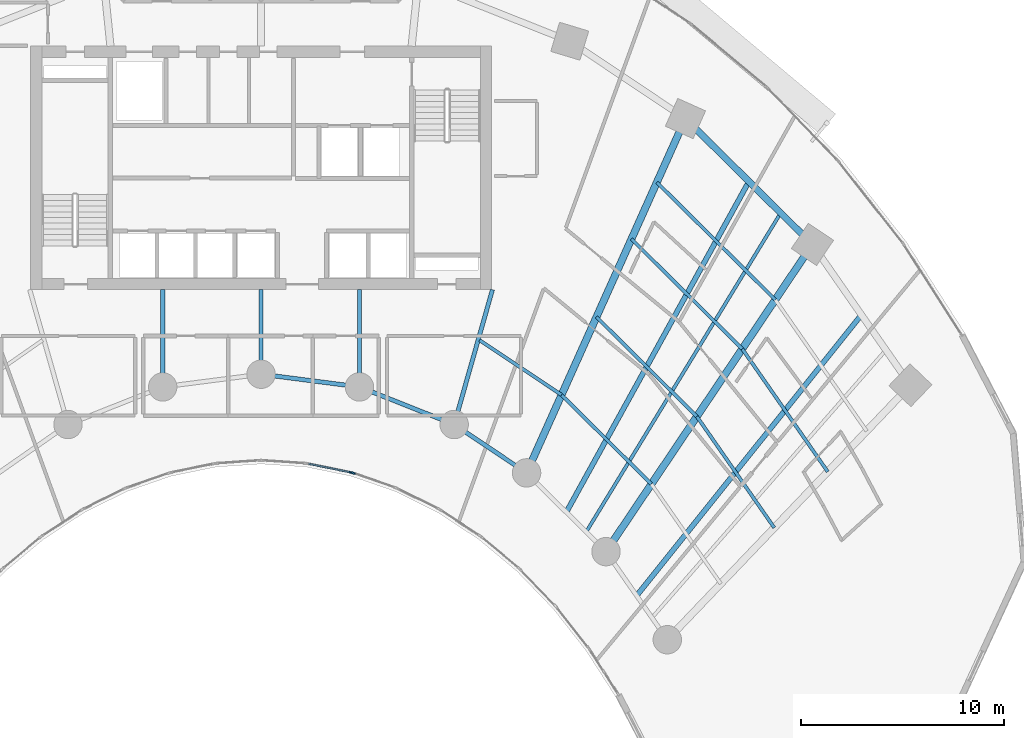
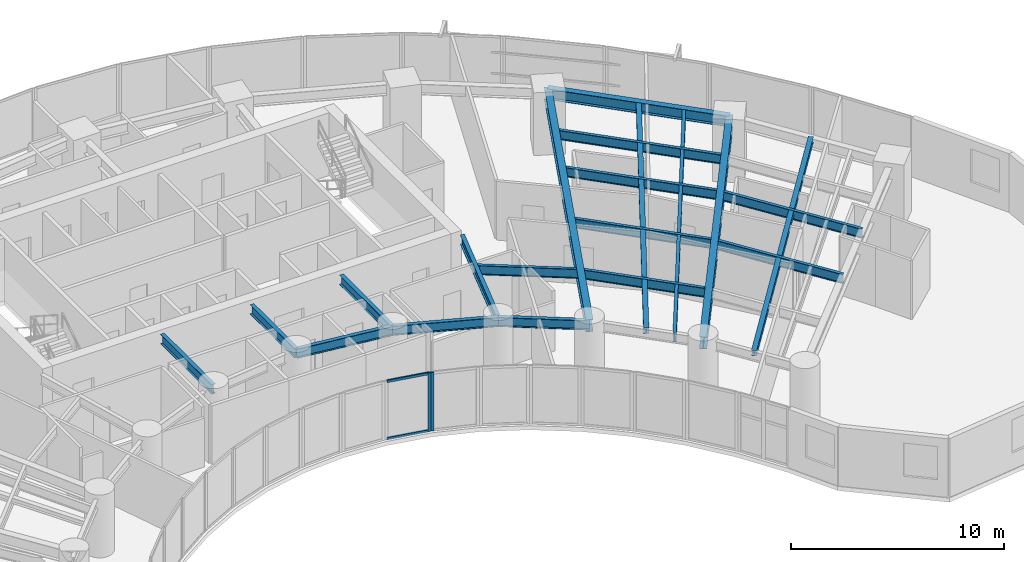
# One storey, part 5 of 17: 20 beams, 4 members, 2 elements without a shape of their own.
"""IFC4 building model written with IfcOpenShell, lengths in metres."""

import ifcopenshell
import ifcopenshell.guid

model = None  # the IFC model being written
_history = None  # IfcOwnerHistory: only IFC2X3 demands one
_inside = {}  # id of a spatial element -> (the spatial element, [elements in it])
_under = {}  # id of a project, library or spatial element -> (it, [spatial elements below it])
_declared = {}  # id of a project -> (the project, [libraries it declares])
_typed = {}  # id of a type object -> (the type object, [elements of that type])
_made_of = {}  # id of a material, layer set ... -> (it, [elements and type objects made of it])


def new_model(schema):
    """Start an empty IFC model of exactly this schema.

    Asked for "IFC4X3", IfcOpenShell would pick the latest addendum, in which some entities
    have other attributes; the version numbers below select the first issue.
    IFC2X3 requires an IfcOwnerHistory on every rooted entity: one is made here for all.
    """
    global model, _history
    if schema == "IFC4X3":
        model = ifcopenshell.file(schema_version=(4, 3, 0, 0))
    else:
        model = ifcopenshell.file(schema=schema)
    _inside.clear()
    _under.clear()
    _declared.clear()
    _typed.clear()
    _made_of.clear()
    _history = None
    if model.schema == "IFC2X3":
        org = make("IfcOrganization", Name="unknown")
        user = make(
            "IfcPersonAndOrganization",
            ThePerson=make("IfcPerson", FamilyName="unknown"),
            TheOrganization=org,
        )
        app = make(
            "IfcApplication",
            ApplicationDeveloper=org,
            Version="unknown",
            ApplicationFullName="unknown",
            ApplicationIdentifier="unknown",
        )
        _history = make(
            "IfcOwnerHistory",
            OwningUser=user,
            OwningApplication=app,
            ChangeAction="ADDED",
            CreationDate=0,
        )
    return model


def make(cls, **values):
    """One entity of the class cls with the attributes given. An attribute that is None is left unset."""
    return model.create_entity(
        cls, **{name: value for name, value in values.items() if value is not None}
    )


def rooted(cls, **values):
    """An entity with a GlobalId (a new one), such as an element, a storey or a relation."""
    return make(cls, GlobalId=ifcopenshell.guid.new(), OwnerHistory=_history, **values)


def si_unit(unit_type, name, prefix=None):
    """IfcSIUnit, for example si_unit("LENGTHUNIT", "METRE", prefix="MILLI")."""
    return make("IfcSIUnit", UnitType=unit_type, Prefix=prefix, Name=name)


def assignment(units):
    """IfcUnitAssignment: the units of a project."""
    return None if units is None else make("IfcUnitAssignment", Units=units)


def point(xyz):
    """IfcCartesianPoint."""
    return None if xyz is None else make("IfcCartesianPoint", Coordinates=xyz)


def direction(xyz):
    """IfcDirection."""
    return None if xyz is None else make("IfcDirection", DirectionRatios=xyz)


def frame(location, z_axis=None, x_axis=None):
    """IfcAxis2Placement3D, a coordinate frame: its origin and axes. An axis left out is left unset."""
    return make(
        "IfcAxis2Placement3D",
        Location=point(location),
        Axis=direction(z_axis),
        RefDirection=direction(x_axis),
    )


def frame_2d(location, x_axis=None):
    """IfcAxis2Placement2D, a coordinate frame in the plane: its origin and x axis."""
    return make(
        "IfcAxis2Placement2D", Location=point(location), RefDirection=direction(x_axis)
    )


def origin():
    """The frame at (0, 0, 0) with its axes left unset."""
    return frame((0.0, 0.0, 0.0))


def origin_2d():
    """The frame at (0, 0) in the plane with its x axis left unset."""
    return frame_2d((0.0, 0.0))


def place(relative_to, where):
    """IfcLocalPlacement: puts the frame where relative to a parent placement (None: the world)."""
    return make(
        "IfcLocalPlacement", PlacementRelTo=relative_to, RelativePlacement=where
    )


def context(
    kind, dimensions, precision=None, world=None, true_north=None, identifier=None
):
    """IfcGeometricRepresentationContext, for example the 3D "Model" context."""
    return make(
        "IfcGeometricRepresentationContext",
        ContextIdentifier=identifier,
        ContextType=kind,
        CoordinateSpaceDimension=dimensions,
        Precision=precision,
        WorldCoordinateSystem=world,
        TrueNorth=true_north,
    )


def subcontext(parent, identifier, kind, view, scale=None):
    """IfcGeometricRepresentationSubContext, for example "Body" below "Model"."""
    return make(
        "IfcGeometricRepresentationSubContext",
        ContextIdentifier=identifier,
        ContextType=kind,
        ParentContext=parent,
        TargetScale=scale,
        TargetView=view,
    )


def project(units=None, contexts=None):
    """IfcProject with its units and contexts."""
    return rooted(
        "IfcProject",
        Name="project",
        RepresentationContexts=contexts,
        UnitsInContext=assignment(units),
    )


def spatial(cls, under=None, at=None, **own):
    """A site, building, storey or space (cls), placed at a placement, below another one or the project."""
    s = rooted(cls, ObjectPlacement=at, **own)
    if under is not None:
        _under.setdefault(under.id(), (under, []))[1].append(s)
    return s


def profile(cls, at=None, kind="AREA", **sizes):
    """A parametric profile (cls). Its sizes go by their IFC names, for example OverallWidth=200.0."""
    return make(cls, ProfileType=kind, Position=at, **sizes)


def rectangle(**sizes):
    """IfcRectangleProfileDef."""
    return profile("IfcRectangleProfileDef", **sizes)


def i_section(**sizes):
    """IfcIShapeProfileDef."""
    return profile("IfcIShapeProfileDef", **sizes)


def extrude(swept, where, along, depth):
    """IfcExtrudedAreaSolid: the profile swept, set in the frame where, extruded along a direction by depth."""
    return make(
        "IfcExtrudedAreaSolid",
        SweptArea=swept,
        Position=where,
        ExtrudedDirection=direction(along),
        Depth=depth,
    )


def shape(context_of_items, identifier, shape_type, items):
    """IfcShapeRepresentation: the items that make up one representation, for example the "Body"."""
    return make(
        "IfcShapeRepresentation",
        ContextOfItems=context_of_items,
        RepresentationIdentifier=identifier,
        RepresentationType=shape_type,
        Items=items,
    )


def source(mapping_origin, context_of_items, identifier, shape_type, items):
    """IfcRepresentationMap: a shape defined once, which mapped items show again and again."""
    return make(
        "IfcRepresentationMap",
        MappingOrigin=mapping_origin,
        MappedRepresentation=shape(context_of_items, identifier, shape_type, items),
    )


def transform(
    local_origin,
    x_axis=None,
    y_axis=None,
    z_axis=None,
    scale=None,
    scale2=None,
    scale3=None,
    uniform=True,
):
    """IfcCartesianTransformationOperator3D, or its non-uniform kind. x_axis, y_axis, z_axis: its Axis1, 2, 3."""
    if uniform:
        return make(
            "IfcCartesianTransformationOperator3D",
            Axis1=direction(x_axis),
            Axis2=direction(y_axis),
            LocalOrigin=point(local_origin),
            Scale=scale,
            Axis3=direction(z_axis),
        )
    return make(
        "IfcCartesianTransformationOperator3DnonUniform",
        Axis1=direction(x_axis),
        Axis2=direction(y_axis),
        LocalOrigin=point(local_origin),
        Scale=scale,
        Axis3=direction(z_axis),
        Scale2=scale2,
        Scale3=scale3,
    )


def mapped(mapping_source, mapping_target):
    """IfcMappedItem: shows the shape of a source again, moved by a transform."""
    return make(
        "IfcMappedItem", MappingSource=mapping_source, MappingTarget=mapping_target
    )


def material(Name=None, Category=None):
    """IfcMaterial."""
    return make("IfcMaterial", Name=Name, Category=Category)


def layer(
    of_material, thickness, ventilated=None, Name=None, Category=None, Priority=None
):
    """IfcMaterialLayer: one layer of a wall or slab, of a material (None: an air gap)."""
    return make(
        "IfcMaterialLayer",
        Material=of_material,
        LayerThickness=thickness,
        IsVentilated=ventilated,
        Name=Name,
        Category=Category,
        Priority=Priority,
    )


def layer_set(layers, Name=None):
    """IfcMaterialLayerSet."""
    return make("IfcMaterialLayerSet", MaterialLayers=layers, LayerSetName=Name)


def material_profile(
    of_material, cross_section, Name=None, Category=None, Priority=None
):
    """IfcMaterialProfile: a cross section and its material."""
    return make(
        "IfcMaterialProfile",
        Name=Name,
        Material=of_material,
        Profile=cross_section,
        Priority=Priority,
        Category=Category,
    )


def profile_set(profiles, Name=None, composite=None):
    """IfcMaterialProfileSet."""
    return make(
        "IfcMaterialProfileSet",
        Name=Name,
        MaterialProfiles=profiles,
        CompositeProfile=composite,
    )


def made_of(thing, what):
    """Note that an element or type object is made of a material, layer set ...; save() writes the relation."""
    if what is not None:
        _made_of.setdefault(what.id(), (what, []))[1].append(thing)
    return thing


def type_object(cls, material=None, **own):
    """A type object (cls), such as IfcWallType, which elements share."""
    return made_of(rooted(cls, **own), material)


def type_shapes(of_type, sources):
    """Give a type object the sources (RepresentationMaps) that its elements show as mapped items."""
    of_type.RepresentationMaps = sources


def element(
    cls,
    number,
    at=None,
    inside=None,
    cuts=None,
    type_object=None,
    material=None,
    context=None,
    identifier="Body",
    shape_type=None,
    held_by="IfcProductDefinitionShape",
    body=None,
    shapes=None,
    **own,
):
    """One element of the class cls, such as IfcWall. Its Tag is "e" and its number.

    at: its placement. inside: the storey or other place that contains it. cuts: it is an
    opening in that element (IfcRelVoidsElement). A single representation is given by context,
    identifier, shape_type and body (its items); several are given by shapes. held_by: the class
    of the entity that holds the representations. save() writes the other relations.
    """
    e = rooted(cls, Tag="e%d" % number, ObjectPlacement=at, **own)
    if body is not None:
        shapes = [shape(context, identifier, shape_type, body)]
    if shapes is not None:
        e.Representation = make(held_by, Representations=shapes)
    if inside is not None:
        _inside.setdefault(inside.id(), (inside, []))[1].append(e)
    if cuts is not None:
        rooted(
            "IfcRelVoidsElement", RelatingBuildingElement=cuts, RelatedOpeningElement=e
        )
    if type_object is not None:
        _typed.setdefault(type_object.id(), (type_object, []))[1].append(e)
    return made_of(e, material)


def aggregate(whole, parts):
    """IfcRelAggregates: a whole, such as a stair, and the parts it consists of."""
    return rooted("IfcRelAggregates", RelatingObject=whole, RelatedObjects=parts)


def save(model, path):
    """Write the relations noted so far, then the file.

    IfcRelAggregates (storeys below a building ...), IfcRelContainedInSpatialStructure (elements
    in a storey), IfcRelDefinesByType, IfcRelAssociatesMaterial and IfcRelDeclares: one each for
    every whole, place, type object, material and project.
    """
    for whole, parts in _under.values():
        aggregate(whole, parts)
    for where, things in _inside.values():
        rooted(
            "IfcRelContainedInSpatialStructure",
            RelatedElements=things,
            RelatingStructure=where,
        )
    for kind, things in _typed.values():
        rooted("IfcRelDefinesByType", RelatedObjects=things, RelatingType=kind)
    for what, things in _made_of.values():
        rooted("IfcRelAssociatesMaterial", RelatedObjects=things, RelatingMaterial=what)
    for by, libraries in _declared.values():
        rooted("IfcRelDeclares", RelatingContext=by, RelatedDefinitions=libraries)
    model.write(path)


model = new_model("IFC4")

# Units and contexts
model_context = context("Model", 3, precision=1e-05, world=origin(), true_north=direction((0.0, 1.0)))
body_context = subcontext(model_context, "Body", "Model", "MODEL_VIEW")
ifc_project = project(units=[si_unit("LENGTHUNIT", "METRE"), si_unit("AREAUNIT", "SQUARE_METRE"), si_unit("VOLUMEUNIT", "CUBIC_METRE"), si_unit("PLANEANGLEUNIT", "RADIAN"), si_unit("MASSUNIT", "GRAM", prefix="KILO")], contexts=[model_context])

# Site, building, storey
site_placement = place(None, origin())
site = spatial("IfcSite", under=ifc_project, at=site_placement, CompositionType="ELEMENT")
building_placement = place(site_placement, origin())
building = spatial("IfcBuilding", under=site, at=building_placement, Name="Breltana Convention Tower", CompositionType="ELEMENT")
storey_placement = place(building_placement, frame((0.0, 0.0, 53.39990234375)))
storey = spatial("IfcBuildingStorey", under=building, at=storey_placement, Name="L11", CompositionType="ELEMENT", Elevation=53.39990234375)

# Beams
ifc_material_1 = material(Name="Steel ASTM A992 Grade 50", Category="steel")
ifc_material_profile_1 = material_profile(ifc_material_1, i_section(OverallWidth=0.323974609375, OverallDepth=0.611083984375, WebThickness=0.0126953125, FlangeThickness=0.01904296875, at=origin_2d()), Name="W24X104")
ifc_profile_set_1 = profile_set([ifc_material_profile_1], Name="Steel ASTM A992 Grade 50")
beam_type_1 = type_object("IfcBeamType", Name="BM-SP-W24X104", PredefinedType="SPANDREL", material=ifc_profile_set_1)
shared_shape_1 = source(origin(), body_context, "Body", "SweptSolid", [
    extrude(i_section(OverallWidth=0.323974609375, OverallDepth=0.611083984375, WebThickness=0.0126953125, FlangeThickness=0.01904296875, at=origin_2d()), origin(), (0.0, 0.0, 1.0), 8.810302734375),
])
beam_1_placement = place(storey_placement, frame((68.910400390625, 68.63330078125, 3.0546875), z_axis=(0.710120823582, -0.704079836322, 0.0), x_axis=(0.704079836322, 0.710120823582, 0.0)))
element("IfcBeam", 1, at=beam_1_placement, inside=storey, type_object=beam_type_1, Name="L11 Outer Spandrel Beam 09", PredefinedType="SPANDREL", context=body_context, shape_type="MappedRepresentation", body=[
    mapped(shared_shape_1, transform((0.0, 0.0, 0.0), scale=1.0)),
])
ifc_material_profile_2 = material_profile(ifc_material_1, i_section(OverallWidth=0.2099609375, OverallDepth=0.537109375, WebThickness=0.010986328125, FlangeThickness=0.017333984375, at=origin_2d()), Name="W21X68")
ifc_profile_set_2 = profile_set([ifc_material_profile_2], Name="Steel ASTM A992 Grade 50")
beam_type_2 = type_object("IfcBeamType", Name="BM-BM-W21X68", PredefinedType="BEAM", material=ifc_profile_set_2)
shared_shape_2 = source(origin(), body_context, "Body", "SweptSolid", [
    extrude(i_section(OverallWidth=0.2099609375, OverallDepth=0.537109375, WebThickness=0.010986328125, FlangeThickness=0.017333984375, at=origin_2d()), origin(), (0.0, 0.0, 1.0), 6.904541015625),
])
type_shapes(beam_type_2, [shared_shape_2])
beam_2_placement = place(storey_placement, frame((59.39990234375, 60.199951171875, 3.091552734375), z_axis=(-0.273006781054, -0.962012108811, 0.0), x_axis=(0.962012108811, -0.273006781054, 0.0)))
element("IfcBeam", 2, at=beam_2_placement, inside=storey, type_object=beam_type_2, Name="L11 South Core Tie Girder R08", PredefinedType="BEAM", context=body_context, shape_type="MappedRepresentation", body=[
    mapped(shared_shape_2, transform((0.0, 0.0, 0.0), scale=1.0)),
])
shared_shape_3 = source(origin(), body_context, "Body", "SweptSolid", [
    extrude(i_section(OverallWidth=0.2099609375, OverallDepth=0.537109375, WebThickness=0.010986328125, FlangeThickness=0.017333984375, at=origin_2d()), origin(), (0.0, 0.0, 1.0), 4.789306640625),
])
for number, where, z_axis, x_axis, name in (
    (3, (43.153564453125, 60.199951171875, 3.091552734375), (0.0, -1.0, 0.0), (1.0, 0.0, 0.0), "L11 South Core Tie Girder R05"),
    (4, (52.846435546875, 60.199951171875, 3.091552734375), (0.0, -1.0, 0.0), (1.0, 0.0, 0.0), "L11 South Core Tie Girder R07"),
):
    element("IfcBeam", number, at=place(storey_placement, frame(where, z_axis=z_axis, x_axis=x_axis)), inside=storey, type_object=beam_type_2, Name=name, PredefinedType="BEAM", context=body_context, shape_type="MappedRepresentation", body=[
        mapped(shared_shape_3, transform((0.0, 0.0, 0.0), scale=1.0)),
    ])
shared_shape_4 = source(origin(), body_context, "Body", "SweptSolid", [
    extrude(i_section(OverallWidth=0.2099609375, OverallDepth=0.537109375, WebThickness=0.010986328125, FlangeThickness=0.017333984375, at=origin_2d()), origin(), (0.0, 0.0, 1.0), 4.1640625),
])
beam_3_placement = place(storey_placement, frame((48.0, 60.199951171875, 3.091552734375), z_axis=(0.0, -1.0, 0.0), x_axis=(1.0, 0.0, 0.0)))
element("IfcBeam", 5, at=beam_3_placement, inside=storey, type_object=beam_type_2, Name="L11 South Core Tie Girder R06", PredefinedType="BEAM", context=body_context, shape_type="MappedRepresentation", body=[
    mapped(shared_shape_4, transform((0.0, 0.0, 0.0), scale=1.0)),
])
ifc_material_profile_3 = material_profile(ifc_material_1, i_section(OverallWidth=0.35498046875, OverallDepth=0.696044921875, WebThickness=0.015380859375, FlangeThickness=0.02490234375, at=origin_2d()), Name="W27X146")
ifc_profile_set_3 = profile_set([ifc_material_profile_3], Name="Steel ASTM A992 Grade 50")
beam_type_3 = type_object("IfcBeamType", Name="BM-RG-W27X146", PredefinedType="USERDEFINED", material=ifc_profile_set_3)
shared_shape_5 = source(origin(), body_context, "Body", "SweptSolid", [
    extrude(i_section(OverallWidth=0.35498046875, OverallDepth=0.696044921875, WebThickness=0.015380859375, FlangeThickness=0.02490234375, at=origin_2d()), origin(), (0.0, 0.0, 1.0), 19.133544921875),
])
beam_4_placement = place(storey_placement, frame((61.08203125, 51.174560546875, 3.01220703125), z_axis=(0.409144564164, 0.912469575172, 0.0), x_axis=(-0.912469575172, 0.409144564164, 0.0)))
element("IfcBeam", 6, at=beam_4_placement, inside=storey, type_object=beam_type_3, Name="L11 Radial Floor Girder R09", ObjectType="GIRDER", PredefinedType="USERDEFINED", context=body_context, shape_type="MappedRepresentation", body=[
    mapped(shared_shape_5, transform((0.0, 0.0, 0.0), scale=1.0)),
])
shared_shape_6 = source(origin(), body_context, "Body", "SweptSolid", [
    extrude(i_section(OverallWidth=0.35498046875, OverallDepth=0.696044921875, WebThickness=0.015380859375, FlangeThickness=0.02490234375, at=origin_2d()), origin(), (0.0, 0.0, 1.0), 18.236328125),
])
beam_5_placement = place(storey_placement, frame((64.995849609375, 47.293701171875, 3.01220703125), z_axis=(0.557730360975, 0.830022195153, 0.0), x_axis=(-0.830022195153, 0.557730360975, 0.0)))
element("IfcBeam", 7, at=beam_5_placement, inside=storey, type_object=beam_type_3, Name="L11 Radial Floor Girder R10", ObjectType="GIRDER", PredefinedType="USERDEFINED", context=body_context, shape_type="MappedRepresentation", body=[
    mapped(shared_shape_6, transform((0.0, 0.0, 0.0), scale=1.0)),
])
shared_shape_7 = source(origin(), body_context, "Body", "SweptSolid", [
    extrude(i_section(OverallWidth=0.2099609375, OverallDepth=0.537109375, WebThickness=0.010986328125, FlangeThickness=0.017333984375, at=origin_2d()), origin(), (0.0, 0.0, 1.0), 5.022705078125),
])
beam_6_placement = place(storey_placement, frame((52.846435546875, 55.41064453125, 3.091552734375), z_axis=(0.929458966248, -0.368925507469, 0.0), x_axis=(0.368925507469, 0.929458966248, 0.0)))
element("IfcBeam", 8, at=beam_6_placement, inside=storey, type_object=beam_type_2, Name="L11 Inner Ring Beam 07", PredefinedType="BEAM", context=body_context, shape_type="MappedRepresentation", body=[
    mapped(shared_shape_7, transform((0.0, 0.0, 0.0), scale=1.0)),
])
shared_shape_8 = source(origin(), body_context, "Body", "SweptSolid", [
    extrude(i_section(OverallWidth=0.2099609375, OverallDepth=0.537109375, WebThickness=0.010986328125, FlangeThickness=0.017333984375, at=origin_2d()), origin(), (0.0, 0.0, 1.0), 4.88671875),
])
beam_7_placement = place(storey_placement, frame((48.0, 56.035888671875, 3.091552734375), z_axis=(0.991780525565, -0.127950729231, 0.0), x_axis=(0.127950729231, 0.991780525565, 0.0)))
element("IfcBeam", 9, at=beam_7_placement, inside=storey, type_object=beam_type_2, Name="L11 Inner Ring Beam 06", PredefinedType="BEAM", context=body_context, shape_type="MappedRepresentation", body=[
    mapped(shared_shape_8, transform((0.0, 0.0, 0.0), scale=1.0)),
])
shared_shape_9 = source(origin(), body_context, "Body", "SweptSolid", [
    extrude(i_section(OverallWidth=0.2099609375, OverallDepth=0.537109375, WebThickness=0.010986328125, FlangeThickness=0.017333984375, at=origin_2d()), origin(), (0.0, 0.0, 1.0), 4.2900390625),
])
beam_8_placement = place(storey_placement, frame((57.514892578125, 53.5576171875, 3.091552734375), z_axis=(0.831515827753, -0.555501060482, 0.0), x_axis=(0.555501060482, 0.831515827753, 0.0)))
element("IfcBeam", 10, at=beam_8_placement, inside=storey, type_object=beam_type_2, Name="L11 Inner Ring Beam 08", PredefinedType="BEAM", context=body_context, shape_type="MappedRepresentation", body=[
    mapped(shared_shape_9, transform((0.0, 0.0, 0.0), scale=1.0)),
])
ifc_material_profile_4 = material_profile(ifc_material_1, i_section(OverallWidth=0.166015625, OverallDepth=0.534912109375, WebThickness=0.01025390625, FlangeThickness=0.0166015625, at=origin_2d()), Name="W21X57")
ifc_profile_set_4 = profile_set([ifc_material_profile_4], Name="Steel ASTM A992 Grade 50")
beam_type_4 = type_object("IfcBeamType", Name="BM-JSG-05", PredefinedType="JOIST", material=ifc_profile_set_4)
shared_shape_10 = source(origin(), body_context, "Body", "SweptSolid", [
    extrude(i_section(OverallWidth=0.166015625, OverallDepth=0.534912109375, WebThickness=0.01025390625, FlangeThickness=0.0166015625, at=origin_2d()), origin(), (0.0, 0.0, 1.0), 4.854736328125),
])
beam_9_placement = place(storey_placement, frame((58.767578125, 57.71240234375, 3.092529296875), z_axis=(0.831485074305, -0.555547091801, 0.0), x_axis=(0.555547091801, 0.831485074305, 0.0)))
element("IfcBeam", 11, at=beam_9_placement, inside=storey, type_object=beam_type_4, Name="L11 Composite Floor Joist 08.1", PredefinedType="JOIST", context=body_context, shape_type="MappedRepresentation", body=[
    mapped(shared_shape_10, transform((0.0, 0.0, 0.0), scale=1.0)),
])
shared_shape_11 = source(origin(), body_context, "Body", "SweptSolid", [
    extrude(i_section(OverallWidth=0.166015625, OverallDepth=0.534912109375, WebThickness=0.01025390625, FlangeThickness=0.0166015625, at=origin_2d()), origin(), (0.0, 0.0, 1.0), 6.2373046875),
])
beam_10_placement = place(storey_placement, frame((62.80419921875, 55.015380859375, 3.092529296875), z_axis=(0.710114292485, -0.704086423394, 0.0), x_axis=(0.704086423394, 0.710114292485, 0.0)))
element("IfcBeam", 12, at=beam_10_placement, inside=storey, type_object=beam_type_4, Name="L11 Composite Floor Joist 09.1", PredefinedType="JOIST", context=body_context, shape_type="MappedRepresentation", body=[
    mapped(shared_shape_11, transform((0.0, 0.0, 0.0), scale=1.0)),
])
shared_shape_12 = source(origin(), body_context, "Body", "SweptSolid", [
    extrude(i_section(OverallWidth=0.166015625, OverallDepth=0.534912109375, WebThickness=0.01025390625, FlangeThickness=0.0166015625, at=origin_2d()), origin(), (0.0, 0.0, 1.0), 6.963134765625),
])
beam_11_placement = place(storey_placement, frame((64.526611328125, 58.8564453125, 3.092529296875), z_axis=(0.71009817493, -0.704102678564, 0.0), x_axis=(0.704102678564, 0.71009817493, 0.0)))
element("IfcBeam", 13, at=beam_11_placement, inside=storey, type_object=beam_type_4, Name="L11 Composite Floor Joist 09.2", PredefinedType="JOIST", context=body_context, shape_type="MappedRepresentation", body=[
    mapped(shared_shape_12, transform((0.0, 0.0, 0.0), scale=1.0)),
])
shared_shape_13 = source(origin(), body_context, "Body", "SweptSolid", [
    extrude(i_section(OverallWidth=0.166015625, OverallDepth=0.534912109375, WebThickness=0.01025390625, FlangeThickness=0.0166015625, at=origin_2d()), origin(), (0.0, 0.0, 1.0), 7.688720703125),
])
beam_12_placement = place(storey_placement, frame((66.248779296875, 62.697265625, 3.092529296875), z_axis=(0.710101109809, -0.704099718682, 0.0), x_axis=(0.704099718682, 0.710101109809, 0.0)))
element("IfcBeam", 14, at=beam_12_placement, inside=storey, type_object=beam_type_4, Name="L11 Composite Floor Joist 09.3", PredefinedType="JOIST", context=body_context, shape_type="MappedRepresentation", body=[
    mapped(shared_shape_13, transform((0.0, 0.0, 0.0), scale=1.0)),
])
shared_shape_14 = source(origin(), body_context, "Body", "SweptSolid", [
    extrude(i_section(OverallWidth=0.166015625, OverallDepth=0.534912109375, WebThickness=0.01025390625, FlangeThickness=0.0166015625, at=origin_2d()), origin(), (0.0, 0.0, 1.0), 8.21630859375),
])
beam_13_placement = place(storey_placement, frame((67.50146484375, 65.49072265625, 3.092529296875), z_axis=(0.710101511063, -0.704099314008, 0.0), x_axis=(0.704099314008, 0.710101511063, 0.0)))
element("IfcBeam", 15, at=beam_13_placement, inside=storey, type_object=beam_type_4, Name="L11 Composite Floor Joist 09.4", PredefinedType="JOIST", context=body_context, shape_type="MappedRepresentation", body=[
    mapped(shared_shape_14, transform((0.0, 0.0, 0.0), scale=1.0)),
])
ifc_material_profile_5 = material_profile(ifc_material_1, i_section(OverallWidth=0.25390625, OverallDepth=0.305908203125, WebThickness=0.0087890625, FlangeThickness=0.0146484375, at=origin_2d()), Name="W12X53")
ifc_profile_set_5 = profile_set([ifc_material_profile_5], Name="Steel ASTM A992 Grade 50")
beam_type_5 = type_object("IfcBeamType", Name="BM-JSG-10", PredefinedType="JOIST", material=ifc_profile_set_5)
shared_shape_15 = source(origin(), body_context, "Body", "SweptSolid", [
    extrude(i_section(OverallWidth=0.25390625, OverallDepth=0.305908203125, WebThickness=0.0087890625, FlangeThickness=0.0146484375, at=origin_2d()), origin(), (0.0, 0.0, 1.0), 18.617431640625),
])
beam_14_placement = place(storey_placement, frame((63.038818359375, 49.234130859375, 3.20703125), z_axis=(0.483405602507, 0.875396495004, 0.0), x_axis=(-0.875396495004, 0.483405602507, 0.0)))
element("IfcBeam", 16, at=beam_14_placement, inside=storey, type_object=beam_type_5, Name="L11 Mid-Bay Radial Trimmer 09", PredefinedType="JOIST", context=body_context, shape_type="MappedRepresentation", body=[
    mapped(shared_shape_15, transform((0.0, 0.0, 0.0), scale=1.0)),
])
shared_shape_16 = source(origin(), body_context, "Body", "SweptSolid", [
    extrude(i_section(OverallWidth=0.166015625, OverallDepth=0.534912109375, WebThickness=0.01025390625, FlangeThickness=0.0166015625, at=origin_2d()), origin(), (0.0, 0.0, 1.0), 18.409423828125),
])
beam_15_placement = place(storey_placement, frame((64.017333984375, 48.263916015625, 3.092529296875), z_axis=(0.520682167606, 0.853750596098, 0.0), x_axis=(-0.853750596098, 0.520682167606, 0.0)))
element("IfcBeam", 17, at=beam_15_placement, inside=storey, type_object=beam_type_4, Name="L11 Quarter-Bay Radial Trimmer 09", PredefinedType="JOIST", context=body_context, shape_type="MappedRepresentation", body=[
    mapped(shared_shape_16, transform((0.0, 0.0, 0.0), scale=1.0)),
])
shared_shape_17 = source(origin(), body_context, "Body", "SweptSolid", [
    extrude(i_section(OverallWidth=0.166015625, OverallDepth=0.534912109375, WebThickness=0.01025390625, FlangeThickness=0.0166015625, at=origin_2d()), origin(), (0.0, 0.0, 1.0), 6.677978515625),
])
beam_16_placement = place(storey_placement, frame((69.47119140625, 53.95361328125, 3.092529296875), z_axis=(0.571193018768, -0.820815774282, 0.0), x_axis=(0.820815774282, 0.571193018768, 0.0)))
element("IfcBeam", 18, at=beam_16_placement, inside=storey, type_object=beam_type_4, Name="L11 Composite Floor Joist 10.2", PredefinedType="JOIST", context=body_context, shape_type="MappedRepresentation", body=[
    mapped(shared_shape_17, transform((0.0, 0.0, 0.0), scale=1.0)),
])
shared_shape_18 = source(origin(), body_context, "Body", "SweptSolid", [
    extrude(i_section(OverallWidth=0.166015625, OverallDepth=0.534912109375, WebThickness=0.01025390625, FlangeThickness=0.0166015625, at=origin_2d()), origin(), (0.0, 0.0, 1.0), 7.374267578125),
])
beam_17_placement = place(storey_placement, frame((71.70849609375, 57.28369140625, 3.092529296875), z_axis=(0.571229379406, -0.820790470281, 0.0), x_axis=(0.820790470281, 0.571229379406, 0.0)))
element("IfcBeam", 19, at=beam_17_placement, inside=storey, type_object=beam_type_4, Name="L11 Composite Floor Joist 10.3", PredefinedType="JOIST", context=body_context, shape_type="MappedRepresentation", body=[
    mapped(shared_shape_18, transform((0.0, 0.0, 0.0), scale=1.0)),
])
shared_shape_19 = source(origin(), body_context, "Body", "SweptSolid", [
    extrude(i_section(OverallWidth=0.25390625, OverallDepth=0.305908203125, WebThickness=0.0087890625, FlangeThickness=0.0146484375, at=origin_2d()), origin(), (0.0, 0.0, 1.0), 17.7236328125),
])
beam_18_placement = place(storey_placement, frame((66.505615234375, 45.124267578125, 3.20703125), z_axis=(0.624829427563, 0.78076128647, 0.0), x_axis=(-0.78076128647, 0.624829427563, 0.0)))
element("IfcBeam", 20, at=beam_18_placement, inside=storey, type_object=beam_type_5, Name="L11 Mid-Bay Radial Trimmer 10", PredefinedType="JOIST", context=body_context, shape_type="MappedRepresentation", body=[
    mapped(shared_shape_19, transform((0.0, 0.0, 0.0), scale=1.0)),
])

# Curtain wall, member
ifc_material_2 = material(Name="Aluminium Anodised Bronze Frame", Category="aluminium")
ifc_layer = layer(ifc_material_2, 0.18994140625, Name="Aluminium Anodised Bronze Frame")
ifc_layer_set = layer_set([ifc_layer], Name="Aluminium Anodised Bronze Frame")
curtain_wall_type = type_object("IfcCurtainWallType", Name="CW-SYS-1", PredefinedType="NOTDEFINED", material=ifc_layer_set)
curtain_wall_1_placement = place(storey_placement, origin())
curtain_wall_1 = element("IfcCurtainWall", 21, at=curtain_wall_1_placement, inside=storey, type_object=curtain_wall_type, Name="L11 inner south-court glazing 7", PredefinedType="NOTDEFINED")
ifc_material_3 = material(Name="Aluminium Anodised Bronze", Category="aluminium")
ifc_material_profile_6 = material_profile(ifc_material_3, rectangle(XDim=0.080078125, YDim=0.199951171875, at=origin_2d()), Name="CWM-80X200")
ifc_profile_set_6 = profile_set([ifc_material_profile_6], Name="Aluminium Anodised Bronze")
member_type_1 = type_object("IfcMemberType", Name="CWM-200", PredefinedType="MULLION", material=ifc_profile_set_6)
shared_shape_20 = source(origin(), body_context, "Body", "SweptSolid", [
    extrude(rectangle(XDim=0.080078125, YDim=0.199951171875, at=origin_2d()), origin(), (0.0, 0.0, 1.0), 3.360107421875),
])
member_1_placement = place(storey_placement, frame((52.54052734375, 51.166015625, 0.0), z_axis=(0.0, 0.0, 1.0), x_axis=(-0.327413341714, -0.944881211406, 0.0)))
member_1 = element("IfcMember", 22, at=member_1_placement, type_object=member_type_1, Name="CW-01 mullion 2", PredefinedType="MULLION", context=body_context, shape_type="MappedRepresentation", body=[
    mapped(shared_shape_20, transform((0.0, 0.0, 0.0), scale=1.0)),
])
aggregate(curtain_wall_1, [member_1])

# Curtain wall, members
curtain_wall_2_placement = place(storey_placement, origin())
curtain_wall_2 = element("IfcCurtainWall", 23, at=curtain_wall_2_placement, inside=storey, type_object=curtain_wall_type, Name="L11 inner south-court glazing 8", PredefinedType="NOTDEFINED")
member_2_placement = place(storey_placement, frame((52.44091796875, 51.193359375, 0.0), z_axis=(0.0, 0.0, 1.0), x_axis=(-0.200886350278, -0.97961455393, 0.0)))
member_2 = element("IfcMember", 24, at=member_2_placement, type_object=member_type_1, Name="CW-01 mullion 1", PredefinedType="MULLION", context=body_context, shape_type="MappedRepresentation", body=[
    mapped(shared_shape_20, transform((0.0, 0.0, 0.0), scale=1.0)),
])
ifc_material_profile_7 = material_profile(ifc_material_3, rectangle(XDim=0.080078125, YDim=0.139892578125, at=origin_2d()), Name="CWT-80X140")
ifc_profile_set_7 = profile_set([ifc_material_profile_7], Name="Aluminium Anodised Bronze")
member_type_2 = type_object("IfcMemberType", Name="CWT-140", PredefinedType="USERDEFINED", material=ifc_profile_set_7)
shared_shape_21 = source(origin(), body_context, "Body", "SweptSolid", [
    extrude(rectangle(XDim=0.080078125, YDim=0.139892578125, at=origin_2d()), origin(), (0.0, 0.0, 1.0), 2.096435546875),
])
member_3_placement = place(storey_placement, frame((52.401611328125, 51.201416015625, 0.0400390625), z_axis=(-0.979615042233, 0.200883969074, 0.0), x_axis=(-0.200883969074, -0.979615042233, 0.0)))
member_3 = element("IfcMember", 25, at=member_3_placement, type_object=member_type_2, Name="CW-01 transom 1.1", ObjectType="TRANSOM", PredefinedType="USERDEFINED", context=body_context, shape_type="MappedRepresentation", body=[
    mapped(shared_shape_21, transform((0.0, 0.0, 0.0), scale=1.0)),
])
member_4_placement = place(storey_placement, frame((52.401611328125, 51.201416015625, 3.320068359375), z_axis=(-0.979615042233, 0.200883969074, 0.0), x_axis=(-0.200883969074, -0.979615042233, 0.0)))
member_4 = element("IfcMember", 26, at=member_4_placement, type_object=member_type_2, Name="CW-01 transom 1.2", ObjectType="TRANSOM", PredefinedType="USERDEFINED", context=body_context, shape_type="MappedRepresentation", body=[
    mapped(shared_shape_21, transform((0.0, 0.0, 0.0), scale=1.0)),
])
aggregate(curtain_wall_2, [member_2, member_3, member_4])

save(model, "model.ifc")
